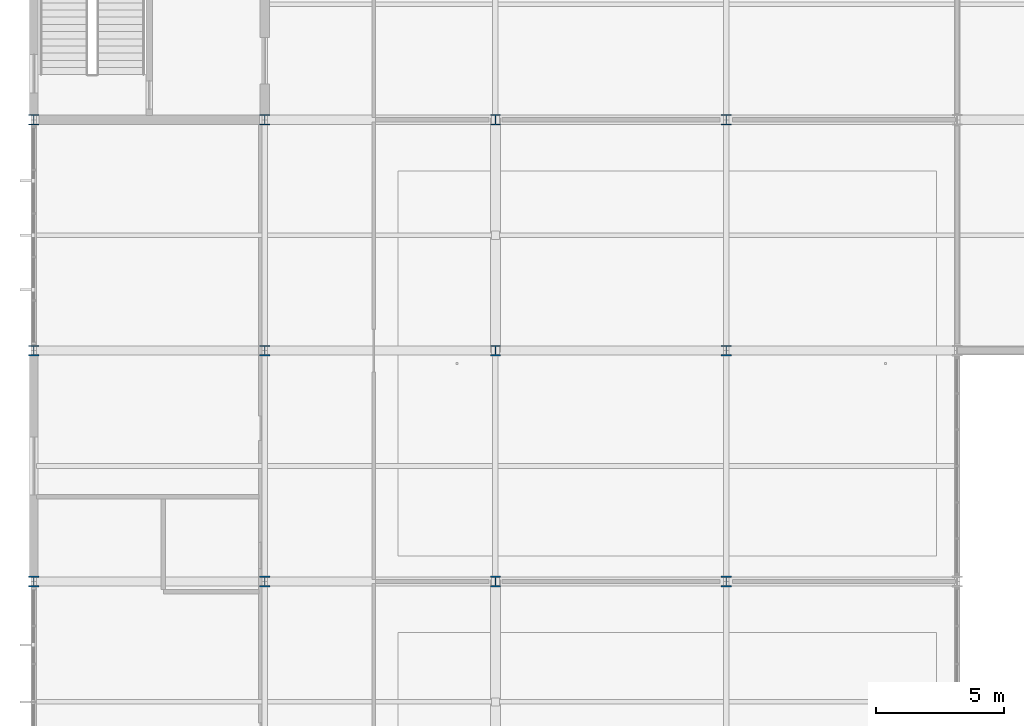
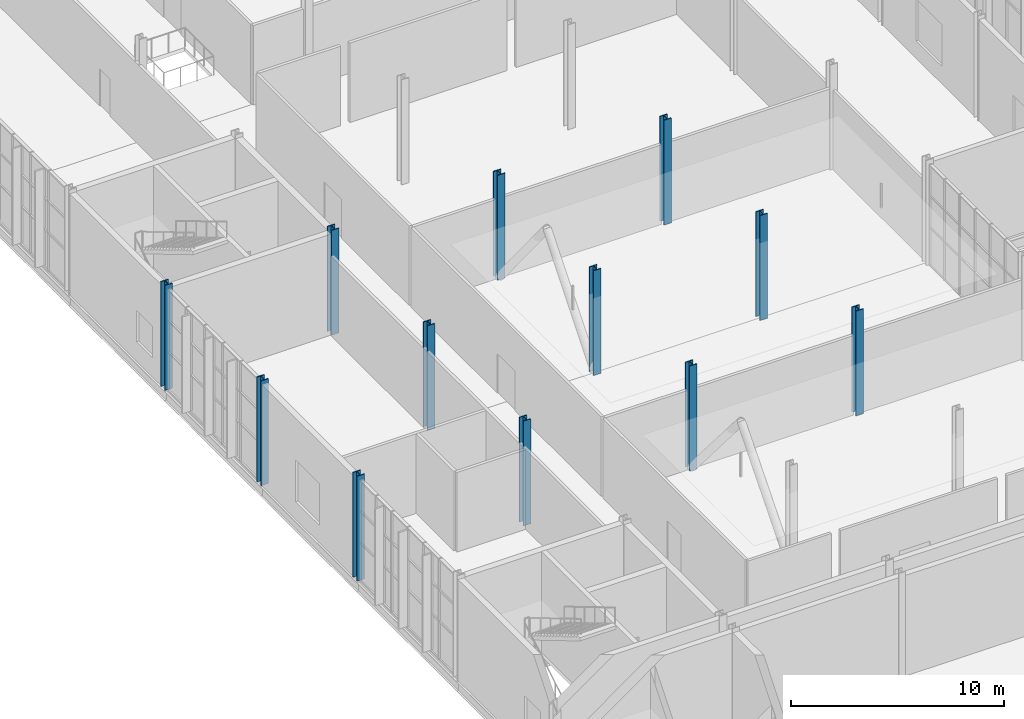
# One storey, part 8 of 159: 12 columns.
"""IFC4 building model written with IfcOpenShell, lengths in metres."""

from ifc_helpers import new_model, si_unit, direction, frame, origin, origin_2d, place, context, subcontext, project, spatial, i_section, extrude, material, material_profile, profile_set, type_object, element, save


model = new_model("IFC4")

# Units and contexts
model_context = context("Model", 3, precision=1e-05, world=origin(), true_north=direction((0.0, 1.0)))
body_context = subcontext(model_context, "Body", "Model", "MODEL_VIEW")
ifc_project = project(units=[si_unit("LENGTHUNIT", "METRE"), si_unit("AREAUNIT", "SQUARE_METRE"), si_unit("VOLUMEUNIT", "CUBIC_METRE"), si_unit("PLANEANGLEUNIT", "RADIAN"), si_unit("MASSUNIT", "GRAM", prefix="KILO")], contexts=[model_context])

# Site, building, storey
site_placement = place(None, origin())
site = spatial("IfcSite", under=ifc_project, at=site_placement, CompositionType="ELEMENT")
building_placement = place(site_placement, origin())
building = spatial("IfcBuilding", under=site, at=building_placement, Name="Cazmaro Siding Exhibition Halls", CompositionType="ELEMENT")
storey_placement = place(building_placement, frame((0.0, 0.0, 6.0)))
storey = spatial("IfcBuildingStorey", under=building, at=storey_placement, Name="L01", CompositionType="ELEMENT", Elevation=6.0)

# Columns
ifc_material = material(Name="Steel ASTM A992 Grade 50", Category="steel")
ifc_material_profile = material_profile(ifc_material, i_section(OverallWidth=0.406005859375, OverallDepth=0.416015625, WebThickness=0.030029296875, FlangeThickness=0.048095703125, at=origin_2d()), Name="W14X257")
ifc_profile_set = profile_set([ifc_material_profile], Name="Steel ASTM A992 Grade 50")
column_type = type_object("IfcColumnType", Name="C-01", PredefinedType="COLUMN", material=ifc_profile_set)
for number, where, z_axis, x_axis, name in (
    (1, (0.0, 73.0, 0.0), (0.0, 0.0, 1.0), (1.0, 0.0, 0.0), "Column C-01 COL-0892"),
    (2, (0.0, 82.0, 0.0), (0.0, 0.0, 1.0), (1.0, 0.0, 0.0), "Column C-01 COL-0897"),
    (3, (0.0, 91.0, 0.0), (0.0, 0.0, 1.0), (1.0, 0.0, 0.0), "Column C-01 COL-0902"),
    (4, (9.0, 73.0, 0.0), (0.0, 0.0, 1.0), (1.0, 0.0, 0.0), "Column C-01 COL-0932"),
    (5, (9.0, 82.0, 0.0), (0.0, 0.0, 1.0), (1.0, 0.0, 0.0), "Column C-01 COL-0937"),
    (6, (9.0, 91.0, 0.0), (0.0, 0.0, 1.0), (1.0, 0.0, 0.0), "Column C-01 COL-0942"),
    (7, (18.0, 73.0, 0.0), (0.0, 0.0, 1.0), (1.0, 0.0, 0.0), "Column C-01 COL-0972"),
    (8, (18.0, 82.0, 0.0), (0.0, 0.0, 1.0), (1.0, 0.0, 0.0), "Column C-01 COL-0977"),
    (9, (18.0, 91.0, 0.0), (0.0, 0.0, 1.0), (1.0, 0.0, 0.0), "Column C-01 COL-0982"),
    (10, (27.0, 73.0, 0.0), (0.0, 0.0, 1.0), (1.0, 0.0, 0.0), "Column C-01 COL-1012"),
    (11, (27.0, 82.0, 0.0), (0.0, 0.0, 1.0), (1.0, 0.0, 0.0), "Column C-01 COL-1017"),
    (12, (27.0, 91.0, 0.0), (0.0, 0.0, 1.0), (1.0, 0.0, 0.0), "Column C-01 COL-1022"),
):
    element("IfcColumn", number, at=place(storey_placement, frame(where, z_axis=z_axis, x_axis=x_axis)), inside=storey, type_object=column_type, Name=name, PredefinedType="COLUMN", context=body_context, shape_type="SweptSolid", body=[
        extrude(i_section(OverallWidth=0.406005859375, OverallDepth=0.416015625, WebThickness=0.030029296875, FlangeThickness=0.048095703125, at=origin_2d()), origin(), (0.0, 0.0, 1.0), 6.0),
    ])

save(model, "model.ifc")
